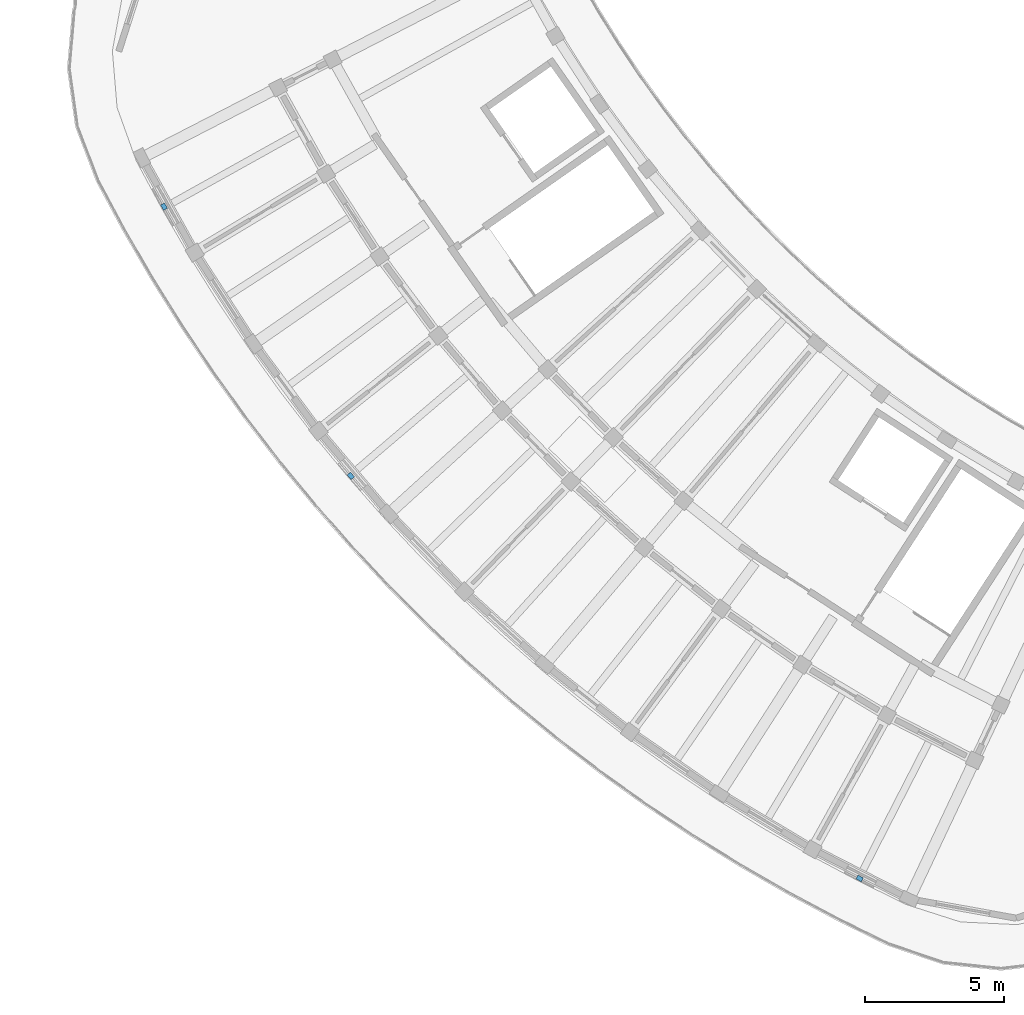
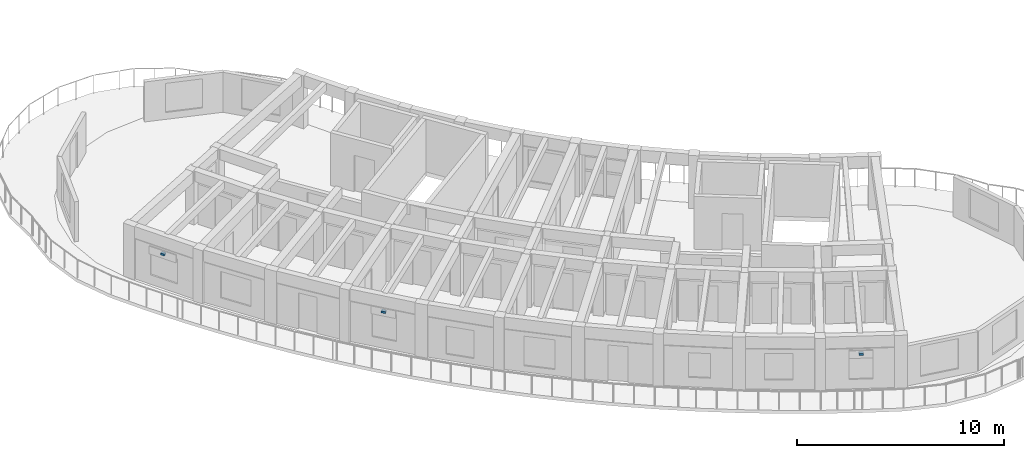
# One storey, part 28 of 41: 3 discrete accessories.
"""IFC4 building model written with IfcOpenShell, lengths in metres."""

from ifc_helpers import new_model, si_unit, direction, frame, origin, origin_2d, place, context, subcontext, project, spatial, rectangle, extrude, material, type_object, element, save


model = new_model("IFC4")

# Units and contexts
model_context = context("Model", 3, precision=1e-05, world=origin(), true_north=direction((0.0, 1.0)))
body_context = subcontext(model_context, "Body", "Model", "MODEL_VIEW")
ifc_project = project(units=[si_unit("LENGTHUNIT", "METRE"), si_unit("AREAUNIT", "SQUARE_METRE"), si_unit("VOLUMEUNIT", "CUBIC_METRE"), si_unit("PLANEANGLEUNIT", "RADIAN"), si_unit("MASSUNIT", "GRAM", prefix="KILO")], contexts=[model_context])

# Site, building, storey
site_placement = place(None, origin())
site = spatial("IfcSite", under=ifc_project, at=site_placement, CompositionType="ELEMENT")
building_placement = place(site_placement, origin())
building = spatial("IfcBuilding", under=site, at=building_placement, Name="Tanwirah Colonnade Gardens", CompositionType="ELEMENT")
storey_placement = place(building_placement, frame((0.0, 0.0, 35.719970703125)))
storey = spatial("IfcBuildingStorey", under=building, at=storey_placement, Name="L10", CompositionType="ELEMENT", Elevation=35.719970703125)

# Discrete accessories
ifc_material = material(Name="Steel S355", Category="steel")
discrete_accessory_type = type_object("IfcDiscreteAccessoryType", Name="BRK-SS1", PredefinedType="BRACKET", material=ifc_material)
for number, where, z_axis, x_axis, name in (
    (1, (12.85302734375, 35.47998046875, 2.034912109375), (0.0, 0.0, 1.0), (0.486716582508, -0.873559939736, 0.0), "Solar screen support bracket C-L10-03"),
    (2, (19.555419921875, 25.818359375, 2.14990234375), (0.0, 0.0, 1.0), (0.647788628629, -0.761820118282, 0.0), "Solar screen support bracket C-L10-06"),
    (3, (37.8173828125, 11.3720703125, 2.034912109375), (0.0, 0.0, 1.0), (0.890013590842, -0.455933995352, 0.0), "Solar screen support bracket C-L10-12"),
):
    element("IfcDiscreteAccessory", number, at=place(storey_placement, frame(where, z_axis=z_axis, x_axis=x_axis)), inside=storey, type_object=discrete_accessory_type, Name=name, PredefinedType="BRACKET", context=body_context, shape_type="SweptSolid", body=[
        extrude(rectangle(XDim=0.219970703125, YDim=0.159912109375, at=origin_2d()), origin(), (0.0, 0.0, 1.0), 0.1201171875),
    ])

save(model, "model.ifc")
